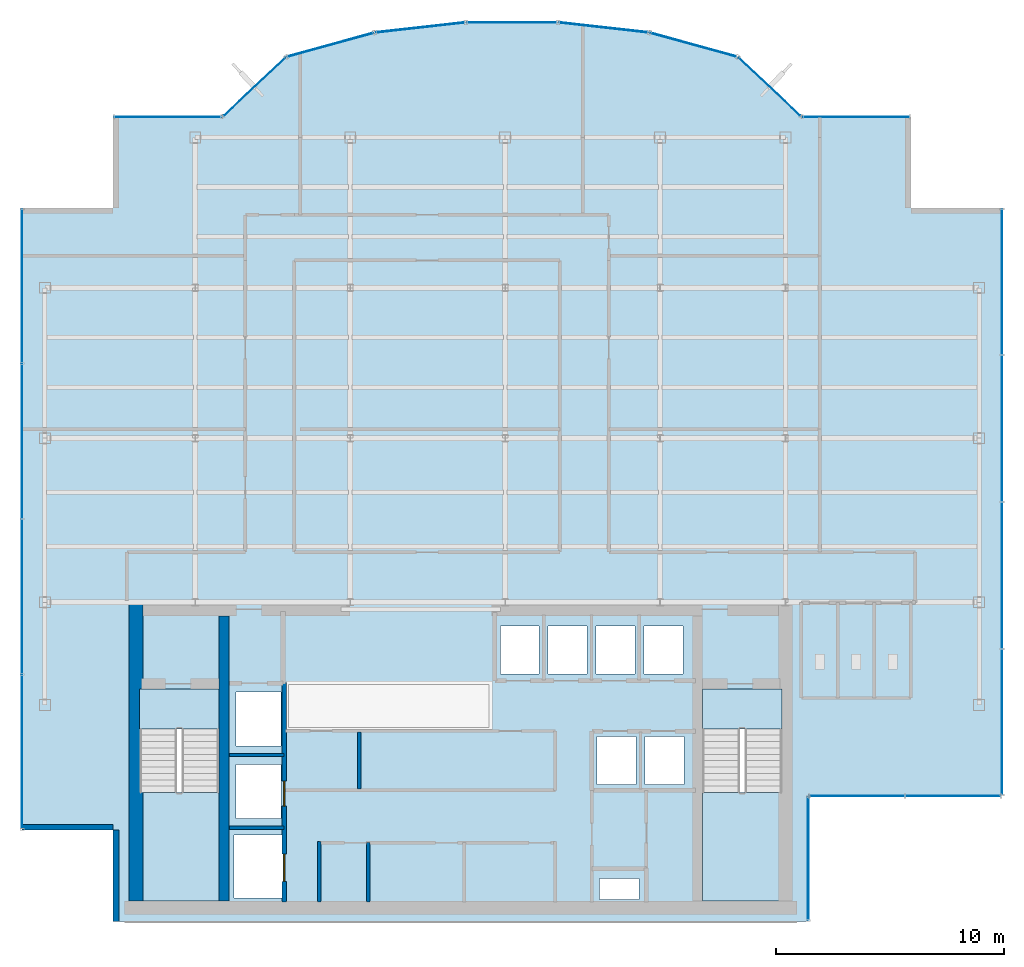
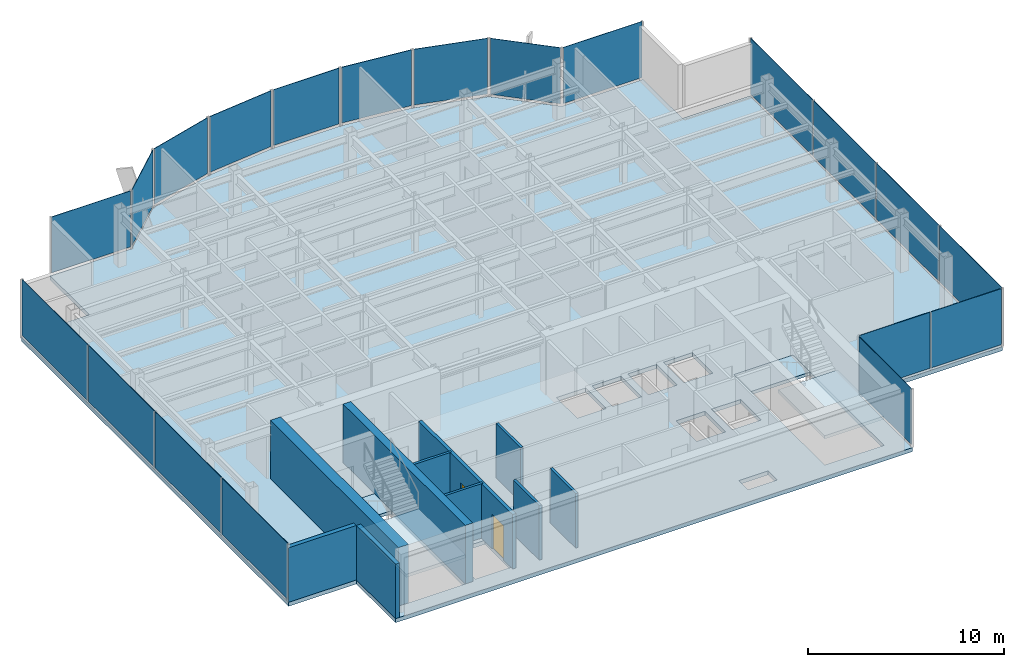
# One storey, part 16 of 22: 20 plates, 10 walls, 5 slabs, 2 doors, 2 openings, 15 elements without a shape of their own.
"""IFC4 building model written with IfcOpenShell, lengths in metres."""

from ifc_helpers import new_model, si_unit, derived_unit, direction, frame, frame_2d, origin, origin_2d, place, context, subcontext, project, spatial, polyline, rectangle, outline, extrude, source, transform, mapped, material, layer, layer_set, type_object, element, fill, aggregate, save


model = new_model("IFC4")

# Units and contexts
model_context = context("Model", 3, precision=1e-05, world=origin(), true_north=direction((0.0, 1.0)))
body_context = subcontext(model_context, "Body", "Model", "MODEL_VIEW")
ifc_project = project(units=[si_unit("LENGTHUNIT", "METRE"), si_unit("AREAUNIT", "SQUARE_METRE"), si_unit("VOLUMEUNIT", "CUBIC_METRE"), si_unit("PLANEANGLEUNIT", "RADIAN"), si_unit("MASSUNIT", "GRAM", prefix="KILO"), derived_unit("THERMALTRANSMITTANCEUNIT", [(si_unit("POWERUNIT", "WATT"), 1), (si_unit("LENGTHUNIT", "METRE"), -2), (si_unit("THERMODYNAMICTEMPERATUREUNIT", "KELVIN"), -1)])], contexts=[model_context])

# Site, building, storey
site_placement = place(None, origin())
site = spatial("IfcSite", under=ifc_project, at=site_placement, CompositionType="ELEMENT")
building_placement = place(site_placement, origin())
building = spatial("IfcBuilding", under=site, at=building_placement, Name="Skarnbrae Concourse Arena and Tower", CompositionType="ELEMENT")
storey_placement = place(building_placement, frame((0.0, 0.0, 255.14990234375)))
storey = spatial("IfcBuildingStorey", under=building, at=storey_placement, Name="L66", CompositionType="ELEMENT", Elevation=255.14990234375)

# Stair, slab
ifc_material_1 = material(Name="Concrete 40 MPa (C40/50)", Category="concrete")
stair_type = type_object("IfcStairType", Name="STAIR-DOGLEG-1650", PredefinedType="HALF_TURN_STAIR", material=ifc_material_1)
stair_1_placement = place(storey_placement, origin())
stair_1 = element("IfcStair", 1, at=stair_1_placement, inside=storey, type_object=stair_type, Name="L66 Protected Exit Stair ST-1", PredefinedType="HALF_TURN_STAIR")
ifc_layer_1 = layer(ifc_material_1, 0.199951171875)
ifc_layer_set_1 = layer_set([ifc_layer_1], Name="Concrete 40 MPa (C40/50)")
slab_type_1 = type_object("IfcSlabType", Name="SLAB-LANDING-200", PredefinedType="LANDING", material=ifc_layer_set_1)
slab_1_placement = place(storey_placement, frame((0.0, 0.0, 1.625)))
slab_1 = element("IfcSlab", 2, at=slab_1_placement, type_object=slab_type_1, Name="ST-1 landing 1", PredefinedType="LANDING", context=body_context, shape_type="SweptSolid", body=[
    extrude(outline(polyline([(5.14990234375, 5.64990234375), (5.14990234375, 0.89990234375), (8.64990234375, 0.89990234375), (8.64990234375, 5.64990234375), (5.14990234375, 5.64990234375)])), origin(), (0.0, 0.0, 1.0), 0.2001953125),
])
aggregate(stair_1, [slab_1])

stair_2_placement = place(storey_placement, origin())
stair_2 = element("IfcStair", 3, at=stair_2_placement, inside=storey, type_object=stair_type, Name="L66 Protected Exit Stair ST-2", PredefinedType="HALF_TURN_STAIR")
slab_2_placement = place(storey_placement, frame((0.0, 0.0, 1.625)))
slab_2 = element("IfcSlab", 4, at=slab_2_placement, type_object=slab_type_1, Name="ST-2 landing 1", PredefinedType="LANDING", context=body_context, shape_type="SweptSolid", body=[
    extrude(outline(polyline([(29.85009765625, 5.64990234375), (29.85009765625, 0.89990234375), (33.35009765625, 0.89990234375), (33.35009765625, 5.64990234375), (29.85009765625, 5.64990234375)])), origin(), (0.0, 0.0, 1.0), 0.2001953125),
])
aggregate(stair_2, [slab_2])

# Slabs
slab_3_placement = place(storey_placement, frame((0.0, 0.0, -0.199951171875)))
element("IfcSlab", 5, at=slab_3_placement, inside=storey, type_object=slab_type_1, Name="L66 Core stair ST1 floor landing", PredefinedType="LANDING", context=body_context, shape_type="SweptSolid", body=[
    extrude(outline(polyline([(5.14990234375, 10.199951171875), (5.14990234375, 8.449951171875), (8.64990234375, 8.449951171875), (8.64990234375, 10.199951171875), (5.14990234375, 10.199951171875)])), origin(), (0.0, 0.0, 1.0), 0.199951171875),
])
slab_4_placement = place(storey_placement, frame((0.0, 0.0, -0.199951171875)))
element("IfcSlab", 6, at=slab_4_placement, inside=storey, type_object=slab_type_1, Name="L66 Core stair ST2 floor landing", PredefinedType="LANDING", context=body_context, shape_type="SweptSolid", body=[
    extrude(outline(polyline([(29.85009765625, 10.199951171875), (29.85009765625, 8.449951171875), (33.35009765625, 8.449951171875), (33.35009765625, 10.199951171875), (29.85009765625, 10.199951171875)])), origin(), (0.0, 0.0, 1.0), 0.199951171875),
])
ifc_layer_2 = layer(ifc_material_1, 0.25)
ifc_layer_set_2 = layer_set([ifc_layer_2], Name="Concrete 40 MPa (C40/50)")
slab_type_2 = type_object("IfcSlabType", Name="SLAB-TOWER-250", PredefinedType="FLOOR", material=ifc_layer_set_2)
slab_5_placement = place(storey_placement, frame((0.0, 0.0, -0.25)))
element("IfcSlab", 7, at=slab_5_placement, inside=storey, type_object=slab_type_2, Name="L66 Structural floor slab", PredefinedType="FLOOR", context=body_context, shape_type="SweptSolid", body=[
    extrude(outline(polyline([(4.0, 0.0), (34.5, 0.0), (34.5, 5.5), (43.0, 5.5), (43.0, 31.300048828125), (39.0, 31.300048828125), (39.0, 35.300048828125), (34.199951171875, 35.300048828125), (31.40966796875, 37.9267578125), (27.52587890625, 38.9970703125), (23.51708984375, 39.44677734375), (19.48291015625, 39.44677734375), (15.47412109375, 38.9970703125), (11.59033203125, 37.9267578125), (8.800048828125, 35.300048828125), (4.0, 35.300048828125), (4.0, 31.300048828125), (0.0, 31.300048828125), (0.0, 4.0), (4.0, 4.0), (4.0, 0.0)]), holes=[polyline([(9.294921875, 1.02001953125), (9.294921875, 3.780029296875), (11.455078125, 3.780029296875), (11.455078125, 1.02001953125), (9.294921875, 1.02001953125)]), polyline([(8.64990234375, 10.199951171875), (8.64990234375, 0.89990234375), (5.14990234375, 0.89990234375), (5.14990234375, 10.199951171875), (8.64990234375, 10.199951171875)]), polyline([(9.39501953125, 6.8798828125), (11.35498046875, 6.8798828125), (11.35498046875, 4.52001953125), (9.39501953125, 4.52001953125), (9.39501953125, 6.8798828125)]), polyline([(9.39501953125, 7.695068359375), (9.39501953125, 10.054931640625), (11.35498046875, 10.054931640625), (11.35498046875, 7.695068359375), (9.39501953125, 7.695068359375)]), polyline([(20.985107421875, 12.955078125), (22.695068359375, 12.955078125), (22.695068359375, 10.844970703125), (20.985107421875, 10.844970703125), (20.985107421875, 12.955078125)]), polyline([(23.0849609375, 12.955078125), (24.794921875, 12.955078125), (24.794921875, 10.844970703125), (23.0849609375, 10.844970703125), (23.0849609375, 12.955078125)]), polyline([(25.35009765625, 0.949951171875), (25.35009765625, 1.889892578125), (27.080078125, 1.889892578125), (27.080078125, 0.949951171875), (25.35009765625, 0.949951171875)]), polyline([(33.35009765625, 10.199951171875), (33.35009765625, 0.89990234375), (29.85009765625, 0.89990234375), (29.85009765625, 10.199951171875), (33.35009765625, 10.199951171875)]), polyline([(25.235107421875, 8.10498046875), (26.945068359375, 8.10498046875), (26.945068359375, 5.9951171875), (25.235107421875, 5.9951171875), (25.235107421875, 8.10498046875)]), polyline([(27.3349609375, 5.9951171875), (27.3349609375, 8.10498046875), (29.044921875, 8.10498046875), (29.044921875, 5.9951171875), (27.3349609375, 5.9951171875)]), polyline([(25.18505859375, 12.955078125), (26.89501953125, 12.955078125), (26.89501953125, 10.844970703125), (25.18505859375, 10.844970703125), (25.18505859375, 12.955078125)]), polyline([(27.284912109375, 12.955078125), (28.9951171875, 12.955078125), (28.9951171875, 10.844970703125), (27.284912109375, 10.844970703125), (27.284912109375, 12.955078125)])]), origin(), (0.0, 0.0, 1.0), 0.25),
])

# Curtain wall, plate
ifc_material_2 = material(Name="Bronze anodised aluminium 6063-T6", Category="aluminium")
curtain_wall_type_1 = type_object("IfcCurtainWallType", Name="CW-SYS-05-HIGHZONE", PredefinedType="USERDEFINED", material=ifc_material_2)
curtain_wall_1_placement = place(storey_placement, origin())
curtain_wall_1 = element("IfcCurtainWall", 8, at=curtain_wall_1_placement, inside=storey, type_object=curtain_wall_type_1, Name="L66 Unitised curtain wall CW-L66-E02", ObjectType="UNITISED CURTAIN WALL", PredefinedType="USERDEFINED")
ifc_material_3 = material(Name="Low-E triple insulating glass", Category="glass")
ifc_layer_3 = layer(ifc_material_3, 0.030029296875)
ifc_layer_set_3 = layer_set([ifc_layer_3], Name="Low-E triple insulating glass")
plate_type_1 = type_object("IfcPlateType", Name="CWP-CW-05", PredefinedType="CURTAIN_PANEL", material=ifc_layer_set_3)
shared_shape_1 = source(origin(), body_context, "Body", "SweptSolid", [
    extrude(rectangle(XDim=5.35009765625, YDim=0.030029296875, at=origin_2d()), origin(), (0.0, 0.0, 1.0), 3.5),
])
plate_1_placement = place(storey_placement, frame((34.5, 2.75, 0.150146484375), z_axis=(0.0, 0.0, 1.0), x_axis=(0.0, 1.0, 0.0)))
plate_1 = element("IfcPlate", 9, at=plate_1_placement, type_object=plate_type_1, Name="CW-L66-E02 Low-E Glazing Panel 1", PredefinedType="CURTAIN_PANEL", context=body_context, shape_type="MappedRepresentation", body=[
    mapped(shared_shape_1, transform((0.0, 0.0, 0.0))),
])
aggregate(curtain_wall_1, [plate_1])

# Curtain wall, plates
curtain_wall_2_placement = place(storey_placement, origin())
curtain_wall_2 = element("IfcCurtainWall", 10, at=curtain_wall_2_placement, inside=storey, type_object=curtain_wall_type_1, Name="L66 Unitised curtain wall CW-L66-E03", ObjectType="UNITISED CURTAIN WALL", PredefinedType="USERDEFINED")
shared_shape_2 = source(origin(), body_context, "Body", "SweptSolid", [
    extrude(rectangle(XDim=4.137451171875, YDim=0.030029296875, at=origin_2d()), origin(), (0.0, 0.0, 1.0), 3.5),
])
plate_2_placement = place(storey_placement, frame((36.643798828125, 5.5, 0.150146484375), z_axis=(0.0, 0.0, 1.0), x_axis=(1.0, 0.0, 0.0)))
plate_2 = element("IfcPlate", 11, at=plate_2_placement, type_object=plate_type_1, Name="CW-L66-E03 Low-E Glazing Panel 1", PredefinedType="CURTAIN_PANEL", context=body_context, shape_type="MappedRepresentation", body=[
    mapped(shared_shape_2, transform((0.0, 0.0, 0.0))),
])
plate_3_placement = place(storey_placement, frame((40.856201171875, 5.5, 0.150146484375), z_axis=(0.0, 0.0, 1.0), x_axis=(1.0, 0.0, 0.0)))
plate_3 = element("IfcPlate", 12, at=plate_3_placement, type_object=plate_type_1, Name="CW-L66-E03 Low-E Glazing Panel 2", PredefinedType="CURTAIN_PANEL", context=body_context, shape_type="MappedRepresentation", body=[
    mapped(shared_shape_2, transform((0.0, 0.0, 0.0))),
])
aggregate(curtain_wall_2, [plate_2, plate_3])

# Curtain wall, plate
curtain_wall_3_placement = place(storey_placement, origin())
curtain_wall_3 = element("IfcCurtainWall", 13, at=curtain_wall_3_placement, inside=storey, type_object=curtain_wall_type_1, Name="L66 Unitised curtain wall CW-L66-E07", ObjectType="UNITISED CURTAIN WALL", PredefinedType="USERDEFINED")
shared_shape_3 = source(origin(), body_context, "Body", "SweptSolid", [
    extrude(rectangle(XDim=4.64990234375, YDim=0.030029296875, at=origin_2d()), origin(), (0.0, 0.0, 1.0), 3.5),
])
plate_4_placement = place(storey_placement, frame((36.60009765625, 35.300048828125, 0.150146484375), z_axis=(0.0, 0.0, 1.0), x_axis=(-1.0, 0.0, 0.0)))
plate_4 = element("IfcPlate", 14, at=plate_4_placement, type_object=plate_type_1, Name="CW-L66-E07 Low-E Glazing Panel 1", PredefinedType="CURTAIN_PANEL", context=body_context, shape_type="MappedRepresentation", body=[
    mapped(shared_shape_3, transform((0.0, 0.0, 0.0))),
])
aggregate(curtain_wall_3, [plate_4])

curtain_wall_4_placement = place(storey_placement, origin())
curtain_wall_4 = element("IfcCurtainWall", 15, at=curtain_wall_4_placement, inside=storey, type_object=curtain_wall_type_1, Name="L66 Unitised curtain wall CW-L66-E15", ObjectType="UNITISED CURTAIN WALL", PredefinedType="USERDEFINED")
plate_5_placement = place(storey_placement, frame((6.39990234375, 35.300048828125, 0.150146484375), z_axis=(0.0, 0.0, 1.0), x_axis=(-1.0, 0.0, 0.0)))
plate_5 = element("IfcPlate", 16, at=plate_5_placement, type_object=plate_type_1, Name="CW-L66-E15 Low-E Glazing Panel 1", PredefinedType="CURTAIN_PANEL", context=body_context, shape_type="MappedRepresentation", body=[
    mapped(shared_shape_3, transform((0.0, 0.0, 0.0))),
])
aggregate(curtain_wall_4, [plate_5])

curtain_wall_5_placement = place(storey_placement, origin())
curtain_wall_5 = element("IfcCurtainWall", 17, at=curtain_wall_5_placement, inside=storey, type_object=curtain_wall_type_1, Name="L66 Unitised curtain wall CW-L66-E08", ObjectType="UNITISED CURTAIN WALL", PredefinedType="USERDEFINED")
shared_shape_4 = source(origin(), body_context, "Body", "SweptSolid", [
    extrude(rectangle(XDim=3.68212890625, YDim=0.030029296875, at=origin_2d()), origin(), (0.0, 0.0, 1.0), 3.5),
])
plate_6_placement = place(storey_placement, frame((32.804931640625, 36.61328125, 0.150146484375), z_axis=(0.0, 0.0, 1.0), x_axis=(-0.728130555214, 0.685438468838, 0.0)))
plate_6 = element("IfcPlate", 18, at=plate_6_placement, type_object=plate_type_1, Name="CW-L66-E08 Low-E Glazing Panel 1", PredefinedType="CURTAIN_PANEL", context=body_context, shape_type="MappedRepresentation", body=[
    mapped(shared_shape_4, transform((0.0, 0.0, 0.0))),
])
aggregate(curtain_wall_5, [plate_6])

curtain_wall_6_placement = place(storey_placement, origin())
curtain_wall_6 = element("IfcCurtainWall", 19, at=curtain_wall_6_placement, inside=storey, type_object=curtain_wall_type_1, Name="L66 Unitised curtain wall CW-L66-E14", ObjectType="UNITISED CURTAIN WALL", PredefinedType="USERDEFINED")
plate_7_placement = place(storey_placement, frame((10.195068359375, 36.61328125, 0.150146484375), z_axis=(0.0, 0.0, 1.0), x_axis=(-0.728130555214, -0.685438468838, 0.0)))
plate_7 = element("IfcPlate", 20, at=plate_7_placement, type_object=plate_type_1, Name="CW-L66-E14 Low-E Glazing Panel 1", PredefinedType="CURTAIN_PANEL", context=body_context, shape_type="MappedRepresentation", body=[
    mapped(shared_shape_4, transform((0.0, 0.0, 0.0))),
])
aggregate(curtain_wall_6, [plate_7])

# Curtain wall, plates
curtain_wall_7_placement = place(storey_placement, origin())
curtain_wall_7 = element("IfcCurtainWall", 21, at=curtain_wall_7_placement, inside=storey, type_object=curtain_wall_type_1, Name="L66 Unitised curtain wall CW-L66-E18", ObjectType="UNITISED CURTAIN WALL", PredefinedType="USERDEFINED")
shared_shape_5 = source(origin(), body_context, "Body", "SweptSolid", [
    extrude(rectangle(XDim=6.71240234375, YDim=0.030029296875, at=origin_2d()), origin(), (0.0, 0.0, 1.0), 3.5),
])
plate_8_placement = place(storey_placement, frame((0.0, 27.86865234375, 0.150146484375), z_axis=(0.0, 0.0, 1.0), x_axis=(0.0, -1.0, 0.0)))
plate_8 = element("IfcPlate", 22, at=plate_8_placement, type_object=plate_type_1, Name="CW-L66-E18 Low-E Glazing Panel 1", PredefinedType="CURTAIN_PANEL", context=body_context, shape_type="MappedRepresentation", body=[
    mapped(shared_shape_5, transform((0.0, 0.0, 0.0))),
])
plate_9_placement = place(storey_placement, frame((0.0, 7.431396484375, 0.150146484375), z_axis=(0.0, 0.0, 1.0), x_axis=(0.0, -1.0, 0.0)))
plate_9 = element("IfcPlate", 23, at=plate_9_placement, type_object=plate_type_1, Name="CW-L66-E18 Low-E Glazing Panel 4", PredefinedType="CURTAIN_PANEL", context=body_context, shape_type="MappedRepresentation", body=[
    mapped(shared_shape_5, transform((0.0, 0.0, 0.0))),
])
shared_shape_6 = source(origin(), body_context, "Body", "SweptSolid", [
    extrude(rectangle(XDim=6.75, YDim=0.030029296875, at=origin_2d()), origin(), (0.0, 0.0, 1.0), 3.5),
])
plate_10_placement = place(storey_placement, frame((0.0, 21.0625, 0.150146484375), z_axis=(0.0, 0.0, 1.0), x_axis=(0.0, -1.0, 0.0)))
plate_10 = element("IfcPlate", 24, at=plate_10_placement, type_object=plate_type_1, Name="CW-L66-E18 Low-E Glazing Panel 2", PredefinedType="CURTAIN_PANEL", context=body_context, shape_type="MappedRepresentation", body=[
    mapped(shared_shape_6, transform((0.0, 0.0, 0.0))),
])
plate_11_placement = place(storey_placement, frame((0.0, 14.237548828125, 0.150146484375), z_axis=(0.0, 0.0, 1.0), x_axis=(0.0, -1.0, 0.0)))
plate_11 = element("IfcPlate", 25, at=plate_11_placement, type_object=plate_type_1, Name="CW-L66-E18 Low-E Glazing Panel 3", PredefinedType="CURTAIN_PANEL", context=body_context, shape_type="MappedRepresentation", body=[
    mapped(shared_shape_6, transform((0.0, 0.0, 0.0))),
])
aggregate(curtain_wall_7, [plate_8, plate_10, plate_11, plate_9])

curtain_wall_8_placement = place(storey_placement, origin())
curtain_wall_8 = element("IfcCurtainWall", 26, at=curtain_wall_8_placement, inside=storey, type_object=curtain_wall_type_1, Name="L66 Unitised curtain wall CW-L66-E04", ObjectType="UNITISED CURTAIN WALL", PredefinedType="USERDEFINED")
shared_shape_7 = source(origin(), body_context, "Body", "SweptSolid", [
    extrude(rectangle(XDim=6.33740234375, YDim=0.030029296875, at=origin_2d()), origin(), (0.0, 0.0, 1.0), 3.5),
])
plate_12_placement = place(storey_placement, frame((43.0, 8.743896484375, 0.150146484375), z_axis=(0.0, 0.0, 1.0), x_axis=(0.0, 1.0, 0.0)))
plate_12 = element("IfcPlate", 27, at=plate_12_placement, type_object=plate_type_1, Name="CW-L66-E04 Low-E Glazing Panel 1", PredefinedType="CURTAIN_PANEL", context=body_context, shape_type="MappedRepresentation", body=[
    mapped(shared_shape_7, transform((0.0, 0.0, 0.0))),
])
plate_13_placement = place(storey_placement, frame((43.0, 28.05615234375, 0.150146484375), z_axis=(0.0, 0.0, 1.0), x_axis=(0.0, 1.0, 0.0)))
plate_13 = element("IfcPlate", 28, at=plate_13_placement, type_object=plate_type_1, Name="CW-L66-E04 Low-E Glazing Panel 4", PredefinedType="CURTAIN_PANEL", context=body_context, shape_type="MappedRepresentation", body=[
    mapped(shared_shape_7, transform((0.0, 0.0, 0.0))),
])
shared_shape_8 = source(origin(), body_context, "Body", "SweptSolid", [
    extrude(rectangle(XDim=6.375, YDim=0.030029296875, at=origin_2d()), origin(), (0.0, 0.0, 1.0), 3.5),
])
plate_14_placement = place(storey_placement, frame((43.0, 15.175048828125, 0.150146484375), z_axis=(0.0, 0.0, 1.0), x_axis=(0.0, 1.0, 0.0)))
plate_14 = element("IfcPlate", 29, at=plate_14_placement, type_object=plate_type_1, Name="CW-L66-E04 Low-E Glazing Panel 2", PredefinedType="CURTAIN_PANEL", context=body_context, shape_type="MappedRepresentation", body=[
    mapped(shared_shape_8, transform((0.0, 0.0, 0.0))),
])
plate_15_placement = place(storey_placement, frame((43.0, 21.625, 0.150146484375), z_axis=(0.0, 0.0, 1.0), x_axis=(0.0, 1.0, 0.0)))
plate_15 = element("IfcPlate", 30, at=plate_15_placement, type_object=plate_type_1, Name="CW-L66-E04 Low-E Glazing Panel 3", PredefinedType="CURTAIN_PANEL", context=body_context, shape_type="MappedRepresentation", body=[
    mapped(shared_shape_8, transform((0.0, 0.0, 0.0))),
])
aggregate(curtain_wall_8, [plate_12, plate_14, plate_15, plate_13])

# Curtain wall, plate
curtain_wall_type_2 = type_object("IfcCurtainWallType", Name="CW-SYS-03-PORTAL", PredefinedType="USERDEFINED", material=ifc_material_2)
curtain_wall_9_placement = place(storey_placement, origin())
curtain_wall_9 = element("IfcCurtainWall", 31, at=curtain_wall_9_placement, inside=storey, type_object=curtain_wall_type_2, Name="L66 Unitised curtain wall CW-L66-E09", ObjectType="UNITISED CURTAIN WALL", PredefinedType="USERDEFINED")
ifc_layer_4 = layer(ifc_material_3, 0.033935546875)
ifc_layer_set_4 = layer_set([ifc_layer_4], Name="Low-E triple insulating glass")
plate_type_2 = type_object("IfcPlateType", Name="CWP-CW-03", PredefinedType="CURTAIN_PANEL", material=ifc_layer_set_4)
shared_shape_9 = source(origin(), body_context, "Body", "SweptSolid", [
    extrude(rectangle(XDim=3.86865234375, YDim=0.033935546875, at=origin_2d()), origin(), (0.0, 0.0, 1.0), 3.47998046875),
])
plate_16_placement = place(storey_placement, frame((29.4677734375, 38.4619140625, 0.170166015625), z_axis=(0.0, 0.0, 1.0), x_axis=(-0.964057388766, 0.265694093207, 0.0)))
plate_16 = element("IfcPlate", 32, at=plate_16_placement, type_object=plate_type_2, Name="CW-L66-E09 Low-E Glazing Panel 1", PredefinedType="CURTAIN_PANEL", context=body_context, shape_type="MappedRepresentation", body=[
    mapped(shared_shape_9, transform((0.0, 0.0, 0.0))),
])
aggregate(curtain_wall_9, [plate_16])

curtain_wall_10_placement = place(storey_placement, origin())
curtain_wall_10 = element("IfcCurtainWall", 33, at=curtain_wall_10_placement, inside=storey, type_object=curtain_wall_type_2, Name="L66 Unitised curtain wall CW-L66-E13", ObjectType="UNITISED CURTAIN WALL", PredefinedType="USERDEFINED")
plate_17_placement = place(storey_placement, frame((13.5322265625, 38.4619140625, 0.170166015625), z_axis=(0.0, 0.0, 1.0), x_axis=(-0.964057388766, -0.265694093207, 0.0)))
plate_17 = element("IfcPlate", 34, at=plate_17_placement, type_object=plate_type_2, Name="CW-L66-E13 Low-E Glazing Panel 1", PredefinedType="CURTAIN_PANEL", context=body_context, shape_type="MappedRepresentation", body=[
    mapped(shared_shape_9, transform((0.0, 0.0, 0.0))),
])
aggregate(curtain_wall_10, [plate_17])

curtain_wall_11_placement = place(storey_placement, origin())
curtain_wall_11 = element("IfcCurtainWall", 35, at=curtain_wall_11_placement, inside=storey, type_object=curtain_wall_type_2, Name="L66 Unitised curtain wall CW-L66-E10", ObjectType="UNITISED CURTAIN WALL", PredefinedType="USERDEFINED")
shared_shape_10 = source(origin(), body_context, "Body", "SweptSolid", [
    extrude(rectangle(XDim=3.873779296875, YDim=0.033935546875, at=origin_2d()), origin(), (0.0, 0.0, 1.0), 3.47998046875),
])
plate_18_placement = place(storey_placement, frame((25.521484375, 39.221923828125, 0.170166015625), z_axis=(0.0, 0.0, 1.0), x_axis=(-0.993768891873, 0.111460259941, 0.0)))
plate_18 = element("IfcPlate", 36, at=plate_18_placement, type_object=plate_type_2, Name="CW-L66-E10 Low-E Glazing Panel 1", PredefinedType="CURTAIN_PANEL", context=body_context, shape_type="MappedRepresentation", body=[
    mapped(shared_shape_10, transform((0.0, 0.0, 0.0))),
])
aggregate(curtain_wall_11, [plate_18])

curtain_wall_12_placement = place(storey_placement, origin())
curtain_wall_12 = element("IfcCurtainWall", 37, at=curtain_wall_12_placement, inside=storey, type_object=curtain_wall_type_2, Name="L66 Unitised curtain wall CW-L66-E12", ObjectType="UNITISED CURTAIN WALL", PredefinedType="USERDEFINED")
plate_19_placement = place(storey_placement, frame((17.478515625, 39.221923828125, 0.170166015625), z_axis=(0.0, 0.0, 1.0), x_axis=(-0.993768891873, -0.111460259941, 0.0)))
plate_19 = element("IfcPlate", 38, at=plate_19_placement, type_object=plate_type_2, Name="CW-L66-E12 Low-E Glazing Panel 1", PredefinedType="CURTAIN_PANEL", context=body_context, shape_type="MappedRepresentation", body=[
    mapped(shared_shape_10, transform((0.0, 0.0, 0.0))),
])
aggregate(curtain_wall_12, [plate_19])

curtain_wall_13_placement = place(storey_placement, origin())
curtain_wall_13 = element("IfcCurtainWall", 39, at=curtain_wall_13_placement, inside=storey, type_object=curtain_wall_type_2, Name="L66 Unitised curtain wall CW-L66-E11", ObjectType="UNITISED CURTAIN WALL", PredefinedType="USERDEFINED")
shared_shape_11 = source(origin(), body_context, "Body", "SweptSolid", [
    extrude(rectangle(XDim=3.87451171875, YDim=0.033935546875, at=origin_2d()), origin(), (0.0, 0.0, 1.0), 3.47998046875),
])
plate_20_placement = place(storey_placement, frame((21.5, 39.44677734375, 0.170166015625), z_axis=(0.0, 0.0, 1.0), x_axis=(-1.0, 0.0, 0.0)))
plate_20 = element("IfcPlate", 40, at=plate_20_placement, type_object=plate_type_2, Name="CW-L66-E11 Low-E Glazing Panel 1", PredefinedType="CURTAIN_PANEL", context=body_context, shape_type="MappedRepresentation", body=[
    mapped(shared_shape_11, transform((0.0, 0.0, 0.0))),
])
aggregate(curtain_wall_13, [plate_20])

# Walls
ifc_material_4 = material(Name="Concrete 50 MPa (C50/60)", Category="concrete")
ifc_layer_5 = layer(ifc_material_4, 0.60009765625)
ifc_layer_set_5 = layer_set([ifc_layer_5], Name="Concrete 50 MPa (C50/60)")
wall_type_1 = type_object("IfcWallType", Name="WALL-CORE-600-C50", PredefinedType="SHEAR", material=ifc_layer_set_5)
shared_shape_12 = source(origin(), body_context, "Body", "SweptSolid", [
    extrude(rectangle(XDim=13.10009765625, YDim=0.60009765625, at=frame_2d((6.550048828125, 0.0))), origin(), (0.0, 0.0, 1.0), 3.650146484375),
])
wall_1_placement = place(storey_placement, frame((5.0, 0.89990234375, 0.0), z_axis=(0.0, 0.0, 1.0), x_axis=(0.0, 1.0, 0.0)))
element("IfcWall", 41, at=wall_1_placement, inside=storey, type_object=wall_type_1, Name="L66 Rear core shear wall CW-W", PredefinedType="SHEAR", context=body_context, shape_type="MappedRepresentation", body=[
    mapped(shared_shape_12, transform((0.0, 0.0, 0.0))),
])
ifc_layer_6 = layer(ifc_material_4, 0.449951171875)
ifc_layer_set_6 = layer_set([ifc_layer_6], Name="Concrete 50 MPa (C50/60)")
wall_type_2 = type_object("IfcWallType", Name="WALL-CORE-450-C50", PredefinedType="SHEAR", material=ifc_layer_set_6)
shared_shape_13 = source(origin(), body_context, "Body", "SweptSolid", [
    extrude(rectangle(XDim=12.5, YDim=0.449951171875, at=frame_2d((6.25, 0.0))), origin(), (0.0, 0.0, 1.0), 3.650146484375),
])
wall_2_placement = place(storey_placement, frame((8.864990234375, 0.89990234375, 0.0), z_axis=(0.0, 0.0, 1.0), x_axis=(0.0, 1.0, 0.0)))
element("IfcWall", 42, at=wall_2_placement, inside=storey, type_object=wall_type_2, Name="L66 Rear core shear wall CW-WEB-W", PredefinedType="SHEAR", context=body_context, shape_type="MappedRepresentation", body=[
    mapped(shared_shape_13, transform((0.0, 0.0, 0.0))),
])
ifc_material_5 = material(Name="Precast concrete 40 MPa (C40/50)", Category="concrete")
ifc_layer_7 = layer(ifc_material_5, 0.25)
ifc_layer_set_7 = layer_set([ifc_layer_7], Name="Precast concrete 40 MPa (C40/50)")
wall_type_3 = type_object("IfcWallType", Name="WALL-EXT-SPANDREL-250", PredefinedType="STANDARD", material=ifc_layer_set_7)
shared_shape_14 = source(origin(), body_context, "Body", "SweptSolid", [
    extrude(rectangle(XDim=4.0, YDim=0.25, at=frame_2d((2.0, 0.0))), origin(), (0.0, 0.0, 1.0), 3.400146484375),
])
for number, where, z_axis, x_axis, name in (
    (43, (0.0, 4.125, 0.0), (0.0, 0.0, 1.0), (1.0, 0.0, 0.0), "L66 Notched corner insulated return wall 19"),
    (44, (4.125, 4.0, 0.0), (0.0, 0.0, 1.0), (0.0, -1.0, 0.0), "L66 Notched corner insulated return wall 20"),
):
    element("IfcWall", number, at=place(storey_placement, frame(where, z_axis=z_axis, x_axis=x_axis)), inside=storey, type_object=wall_type_3, Name=name, PredefinedType="STANDARD", context=body_context, shape_type="MappedRepresentation", body=[
        mapped(shared_shape_14, transform((0.0, 0.0, 0.0))),
    ])

# Wall, openings, doors
ifc_material_6 = material(Name="Gypsum board on cold-formed steel studs", Category="steel")
ifc_layer_8 = layer(ifc_material_6, 0.199951171875)
ifc_layer_set_8 = layer_set([ifc_layer_8], Name="Gypsum board on cold-formed steel studs")
wall_type_4 = type_object("IfcWallType", Name="WALL-PART-200-2HR", PredefinedType="PARTITIONING", material=ifc_layer_set_8)
shared_shape_15 = source(origin(), body_context, "Body", "SweptSolid", [
    extrude(rectangle(XDim=9.599853515625, YDim=0.199951171875, at=frame_2d((4.7998046875, 0.0))), origin(), (0.0, 0.0, 1.0), 3.400146484375),
])
wall_3_placement = place(storey_placement, frame((11.5, 0.85009765625, 0.0), z_axis=(0.0, 0.0, 1.0), x_axis=(0.0, 1.0, 0.0)))
wall_3 = element("IfcWall", 45, at=wall_3_placement, inside=storey, type_object=wall_type_4, Name="L66 Interior partition wall W-L66-FL-E", PredefinedType="PARTITIONING", context=body_context, shape_type="MappedRepresentation", body=[
    mapped(shared_shape_15, transform((0.0, 0.0, 0.0))),
])
opening_1_placement = place(wall_3_placement, frame((4.199951171875, 0.0, 0.0)))
opening_1 = element("IfcOpeningElement", 46, at=opening_1_placement, cuts=wall_3, Name="Opening LD-01", PredefinedType="OPENING", context=body_context, shape_type="SweptSolid", body=[
    extrude(rectangle(XDim=1.10009765625, YDim=2.14990234375, at=frame_2d((0.550048828125, 1.074951171875))), frame((0.0, 0.10986328125, 0.0), z_axis=(0.0, -1.0, 0.0), x_axis=(1.0, 0.0, 0.0)), (0.0, 0.0, 1.0), 0.219970703125),
])
opening_2_placement = place(wall_3_placement, frame((0.89990234375, 0.0, 0.0)))
opening_2 = element("IfcOpeningElement", 47, at=opening_2_placement, cuts=wall_3, Name="Opening LD-02", PredefinedType="OPENING", context=body_context, shape_type="SweptSolid", body=[
    extrude(rectangle(XDim=1.199951171875, YDim=2.14990234375, at=frame_2d((0.60009765625, 1.074951171875))), frame((0.0, 0.10986328125, 0.0), z_axis=(0.0, -1.0, 0.0), x_axis=(1.0, 0.0, 0.0)), (0.0, 0.0, 1.0), 0.219970703125),
])
ifc_material_7 = material(Name="Steel CSA G40.21 350W", Category="steel")
door_type_1 = type_object("IfcDoorType", Name="DOOR-LIFT-SLIDE-1100", OperationType="SLIDING_TO_LEFT", PredefinedType="DOOR", material=ifc_material_7)
shared_shape_16 = source(origin(), body_context, "Body", "SweptSolid", [
    extrude(rectangle(XDim=1.10009765625, YDim=2.14990234375, at=frame_2d((0.550048828125, 1.074951171875))), frame((0.0, 0.02490234375, 0.0), z_axis=(0.0, -1.0, 0.0), x_axis=(1.0, 0.0, 0.0)), (0.0, 0.0, 1.0), 0.050048828125),
])
door_1_placement = place(opening_1_placement, frame((1.10009765625, 0.0, 0.0), z_axis=(0.0, 0.0, 1.0), x_axis=(-1.0, 0.0, 0.0)))
door_1 = element("IfcDoor", 48, at=door_1_placement, inside=storey, type_object=door_type_1, Name="D-1990 Firefighting Lift Landing Door FL-02", OperationType="SLIDING_TO_LEFT", OverallHeight=2.14990234375, OverallWidth=1.10009765625, PredefinedType="DOOR", context=body_context, shape_type="MappedRepresentation", body=[
    mapped(shared_shape_16, transform((0.0, 0.0, 0.0))),
])
fill(opening_1, door_1)
door_type_2 = type_object("IfcDoorType", Name="DOOR-LIFT-SLIDE-1200", OperationType="SLIDING_TO_LEFT", PredefinedType="DOOR", material=ifc_material_7)
shared_shape_17 = source(origin(), body_context, "Body", "SweptSolid", [
    extrude(rectangle(XDim=1.199951171875, YDim=2.14990234375, at=frame_2d((0.60009765625, 1.074951171875))), frame((0.0, 0.02490234375, 0.0), z_axis=(0.0, -1.0, 0.0), x_axis=(1.0, 0.0, 0.0)), (0.0, 0.0, 1.0), 0.050048828125),
])
door_2_placement = place(opening_2_placement, frame((1.199951171875, 0.0, 0.0), z_axis=(0.0, 0.0, 1.0), x_axis=(-1.0, 0.0, 0.0)))
door_2 = element("IfcDoor", 49, at=door_2_placement, inside=storey, type_object=door_type_2, Name="D-1991 Service Lift Landing Door SV-01", OperationType="SLIDING_TO_LEFT", OverallHeight=2.14990234375, OverallWidth=1.199951171875, PredefinedType="DOOR", context=body_context, shape_type="MappedRepresentation", body=[
    mapped(shared_shape_17, transform((0.0, 0.0, 0.0))),
])
fill(opening_2, door_2)

# Walls
ifc_layer_9 = layer(ifc_material_6, 0.14990234375)
ifc_layer_set_9 = layer_set([ifc_layer_9], Name="Gypsum board on cold-formed steel studs")
wall_type_5 = type_object("IfcWallType", Name="WALL-PART-150", PredefinedType="PARTITIONING", material=ifc_layer_set_9)
shared_shape_18 = source(origin(), body_context, "Body", "SweptSolid", [
    extrude(rectangle(XDim=2.39990234375, YDim=0.14990234375, at=frame_2d((1.199951171875, 0.0))), origin(), (0.0, 0.0, 1.0), 3.400146484375),
])
for number, where, z_axis, x_axis, name in (
    (50, (9.10009765625, 4.10009765625, 0.0), (0.0, 0.0, 1.0), (1.0, 0.0, 0.0), "L66 Interior partition wall W-L66-FL-D1"),
    (51, (9.10009765625, 7.300048828125, 0.0), (0.0, 0.0, 1.0), (1.0, 0.0, 0.0), "L66 Interior partition wall W-L66-FL-D2"),
):
    element("IfcWall", number, at=place(storey_placement, frame(where, z_axis=z_axis, x_axis=x_axis)), inside=storey, type_object=wall_type_5, Name=name, PredefinedType="PARTITIONING", context=body_context, shape_type="MappedRepresentation", body=[
        mapped(shared_shape_18, transform((0.0, 0.0, 0.0))),
    ])
shared_shape_19 = source(origin(), body_context, "Body", "SweptSolid", [
    extrude(rectangle(XDim=2.599853515625, YDim=0.14990234375, at=frame_2d((1.2998046875, 0.0))), origin(), (0.0, 0.0, 1.0), 3.400146484375),
])
wall_4_placement = place(storey_placement, frame((15.199951171875, 0.85009765625, 0.0), z_axis=(0.0, 0.0, 1.0), x_axis=(0.0, 1.0, 0.0)))
element("IfcWall", 52, at=wall_4_placement, inside=storey, type_object=wall_type_5, Name="L66 Interior partition wall W-L66-B1M-C1", PredefinedType="PARTITIONING", context=body_context, shape_type="MappedRepresentation", body=[
    mapped(shared_shape_19, transform((0.0, 0.0, 0.0))),
])
shared_shape_20 = source(origin(), body_context, "Body", "SweptSolid", [
    extrude(rectangle(XDim=2.5, YDim=0.14990234375, at=frame_2d((1.25, 0.0))), origin(), (0.0, 0.0, 1.0), 3.400146484375),
])
wall_5_placement = place(storey_placement, frame((14.800048828125, 5.800048828125, 0.0), z_axis=(0.0, 0.0, 1.0), x_axis=(0.0, 1.0, 0.0)))
element("IfcWall", 53, at=wall_5_placement, inside=storey, type_object=wall_type_5, Name="L66 Interior partition wall W-L66-B2M-MID", PredefinedType="PARTITIONING", context=body_context, shape_type="MappedRepresentation", body=[
    mapped(shared_shape_20, transform((0.0, 0.0, 0.0))),
])
ifc_layer_10 = layer(ifc_material_6, 0.14990234375)
ifc_layer_set_10 = layer_set([ifc_layer_10], Name="Gypsum board on cold-formed steel studs")
wall_type_6 = type_object("IfcWallType", Name="WALL-PART-150-1HR", PredefinedType="PARTITIONING", material=ifc_layer_set_10)
shared_shape_21 = source(origin(), body_context, "Body", "SweptSolid", [
    extrude(rectangle(XDim=2.64990234375, YDim=0.14990234375, at=frame_2d((1.324951171875, 0.0))), origin(), (0.0, 0.0, 1.0), 3.400146484375),
])
wall_6_placement = place(storey_placement, frame((13.050048828125, 0.85009765625, 0.0), z_axis=(0.0, 0.0, 1.0), x_axis=(0.0, 1.0, 0.0)))
element("IfcWall", 54, at=wall_6_placement, inside=storey, type_object=wall_type_6, Name="L66 Interior partition wall W-L66-B1M-W", PredefinedType="PARTITIONING", context=body_context, shape_type="MappedRepresentation", body=[
    mapped(shared_shape_21, transform((0.0, 0.0, 0.0))),
])

save(model, "model.ifc")
